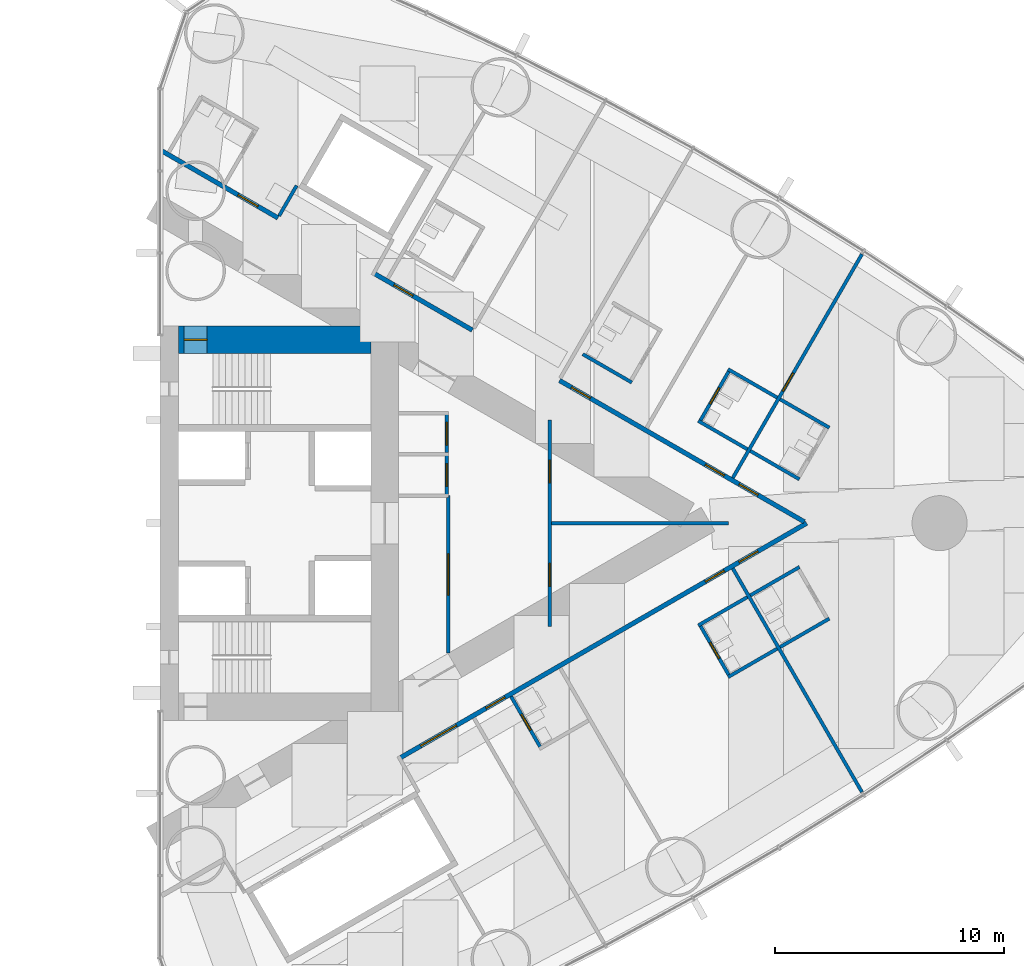
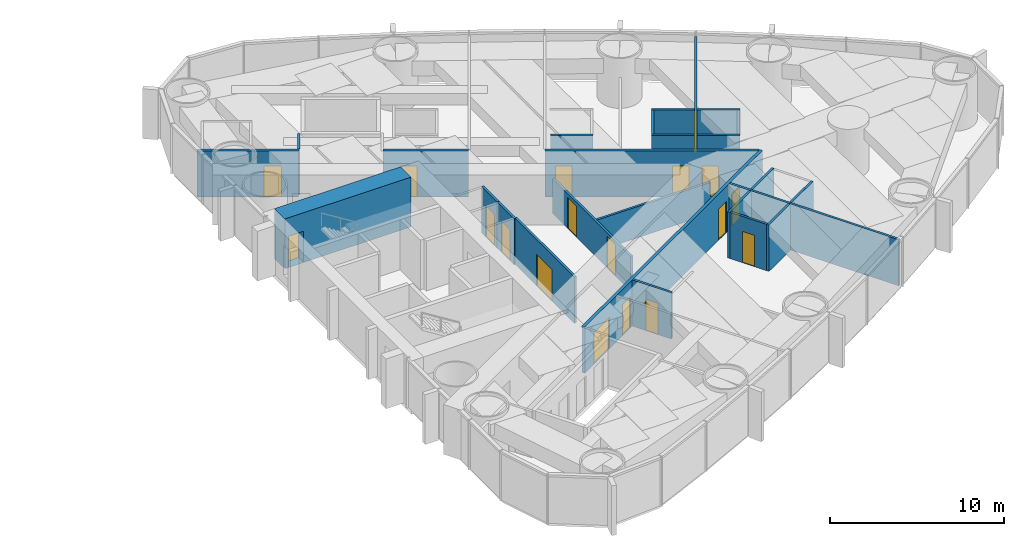
# One storey, part 14 of 18: 25 walls, 19 doors, 19 openings.
"""IFC4 building model written with IfcOpenShell, lengths in metres."""

from ifc_helpers import new_model, si_unit, direction, frame, frame_2d, origin, place, context, subcontext, project, spatial, rectangle, extrude, material, layer, layer_set, type_object, element, fill, save


model = new_model("IFC4")

# Units and contexts
model_context = context("Model", 3, precision=1e-05, world=origin(), true_north=direction((0.0, 1.0)))
body_context = subcontext(model_context, "Body", "Model", "MODEL_VIEW")
ifc_project = project(units=[si_unit("LENGTHUNIT", "METRE"), si_unit("AREAUNIT", "SQUARE_METRE"), si_unit("VOLUMEUNIT", "CUBIC_METRE"), si_unit("PLANEANGLEUNIT", "RADIAN"), si_unit("MASSUNIT", "GRAM", prefix="KILO")], contexts=[model_context])

# Site, building, storey
site_placement = place(None, origin())
site = spatial("IfcSite", under=ifc_project, at=site_placement, CompositionType="ELEMENT")
building_placement = place(site_placement, origin())
building = spatial("IfcBuilding", under=site, at=building_placement, Name="Lancet Gate Hotel", CompositionType="ELEMENT")
storey_placement = place(building_placement, frame((0.0, 0.0, 118.60009765625)))
storey = spatial("IfcBuildingStorey", under=building, at=storey_placement, Name="L31", CompositionType="ELEMENT", Elevation=118.60009765625)

# Wall, opening, door
ifc_material_1 = material(Name="Moisture resistant board partition")
ifc_layer_1 = layer(ifc_material_1, 0.14990234375)
ifc_layer_set_1 = layer_set([ifc_layer_1], Name="Bathroom wall 150")
wall_type_1 = type_object("IfcWallType", Name="Bathroom wall 150", PredefinedType="PARTITIONING", material=ifc_layer_set_1)
wall_1_placement = place(storey_placement, frame((42.810302734375, -7.55859375, 0.0), z_axis=(0.0, 0.0, 1.0), x_axis=(0.499936506574, -0.866062058628, 0.0)))
wall_1 = element("IfcWall", 1, at=wall_1_placement, inside=storey, type_object=wall_type_1, Name="T2 bathroom wall 150 L31", PredefinedType="PARTITIONING", context=body_context, shape_type="SweptSolid", body=[
    extrude(rectangle(XDim=2.599853515625, YDim=0.14990234375, at=frame_2d((1.2998046875, 0.0))), origin(), (0.0, 0.0, 1.0), 3.25),
])
opening_1_placement = place(wall_1_placement, frame((0.89990234375, 0.0, 0.0)))
opening_1 = element("IfcOpeningElement", 2, at=opening_1_placement, cuts=wall_1, Name="Opening 3154-B", PredefinedType="OPENING", context=body_context, shape_type="SweptSolid", body=[
    extrude(rectangle(XDim=0.800048828125, YDim=2.199951171875, at=frame_2d((0.39990234375, 1.10009765625))), frame((0.0, 0.0849609375, 0.0), z_axis=(0.0, -1.0, 0.0), x_axis=(1.0, 0.0, 0.0)), (0.0, 0.0, 1.0), 0.169921875),
])
ifc_material_2 = material(Name="Timber door set", Category="wood")
door_type_1 = type_object("IfcDoorType", Name="Bathroom door 800", OperationType="SINGLE_SWING_RIGHT", PredefinedType="DOOR", material=ifc_material_2)
door_1_placement = place(opening_1_placement, origin())
door_1 = element("IfcDoor", 3, at=door_1_placement, inside=storey, type_object=door_type_1, Name="3154-B", OperationType="SINGLE_SWING_RIGHT", OverallHeight=2.199951171875, OverallWidth=0.800048828125, PredefinedType="DOOR", context=body_context, shape_type="SweptSolid", body=[
    extrude(rectangle(XDim=0.800048828125, YDim=2.199951171875, at=frame_2d((0.39990234375, 1.10009765625))), frame((0.0, 0.02490234375, 0.0), z_axis=(0.0, -1.0, 0.0), x_axis=(1.0, 0.0, 0.0)), (0.0, 0.0, 1.0), 0.050048828125),
])
fill(opening_1, door_1)

# Wall
wall_2_placement = place(storey_placement, frame((52.27294921875, -6.714111328125, 0.0), z_axis=(0.0, 0.0, 1.0), x_axis=(0.866031185235, 0.4999899861, 0.0)))
element("IfcWall", 4, at=wall_2_placement, inside=storey, type_object=wall_type_1, Name="T2 bathroom wall 150 L31", PredefinedType="PARTITIONING", context=body_context, shape_type="SweptSolid", body=[
    extrude(rectangle(XDim=2.47509765625, YDim=0.14990234375, at=frame_2d((1.237548828125, 0.0))), origin(), (0.0, 0.0, 1.0), 3.25),
])

# Wall, opening, door
wall_3_placement = place(storey_placement, frame((51.0380859375, -4.425048828125, 0.0), z_axis=(0.0, 0.0, 1.0), x_axis=(0.49997716683, -0.86603858612, 0.0)))
wall_3 = element("IfcWall", 5, at=wall_3_placement, inside=storey, type_object=wall_type_1, Name="T2 bathroom wall 150 L31", PredefinedType="PARTITIONING", context=body_context, shape_type="SweptSolid", body=[
    extrude(rectangle(XDim=2.599609375, YDim=0.14990234375, at=frame_2d((1.2998046875, 0.0))), origin(), (0.0, 0.0, 1.0), 3.25),
])
opening_2_placement = place(wall_3_placement, frame((0.89990234375, 0.0, 0.0)))
opening_2 = element("IfcOpeningElement", 6, at=opening_2_placement, cuts=wall_3, Name="Opening 3155-B", PredefinedType="OPENING", context=body_context, shape_type="SweptSolid", body=[
    extrude(rectangle(XDim=0.800048828125, YDim=2.199951171875, at=frame_2d((0.39990234375, 1.10009765625))), frame((0.0, 0.0849609375, 0.0), z_axis=(0.0, -1.0, 0.0), x_axis=(1.0, 0.0, 0.0)), (0.0, 0.0, 1.0), 0.169921875),
])
door_2_placement = place(opening_2_placement, origin())
door_2 = element("IfcDoor", 7, at=door_2_placement, inside=storey, type_object=door_type_1, Name="3155-B", OperationType="SINGLE_SWING_RIGHT", OverallHeight=2.199951171875, OverallWidth=0.800048828125, PredefinedType="DOOR", context=body_context, shape_type="SweptSolid", body=[
    extrude(rectangle(XDim=0.800048828125, YDim=2.199951171875, at=frame_2d((0.39990234375, 1.10009765625))), frame((0.0, 0.02490234375, 0.0), z_axis=(0.0, -1.0, 0.0), x_axis=(1.0, 0.0, 0.0)), (0.0, 0.0, 1.0), 0.050048828125),
])
fill(opening_2, door_2)

# Walls
wall_4_placement = place(storey_placement, frame((50.972900390625, -4.46240234375, 0.0), z_axis=(0.0, 0.0, 1.0), x_axis=(0.866031185235, 0.4999899861, 0.0)))
element("IfcWall", 8, at=wall_4_placement, inside=storey, type_object=wall_type_1, Name="T2 bathroom wall 150 L31", PredefinedType="PARTITIONING", context=body_context, shape_type="SweptSolid", body=[
    extrude(rectangle(XDim=2.47509765625, YDim=0.14990234375, at=frame_2d((1.237548828125, 0.0))), origin(), (0.0, 0.0, 1.0), 3.25),
])
for number, where, z_axis, x_axis, name in (
    (9, (54.54638671875, -5.401611328125, 0.0), (0.0, 0.0, 1.0), (0.866006523861, 0.500032699561, 0.0), "T2 bathroom wall 150 L31"),
    (10, (53.246337890625, -3.14990234375, 0.0), (0.0, 0.0, 1.0), (0.866006523861, 0.500032699561, 0.0), "T2 bathroom wall 150 L31"),
    (11, (54.54638671875, 5.401611328125, 0.0), (0.0, 0.0, 1.0), (0.866006523861, -0.500032699561, 0.0), "T2 bathroom wall 150 L31"),
    (12, (53.246337890625, 3.14990234375, 0.0), (0.0, 0.0, 1.0), (0.866006523861, -0.500032699561, 0.0), "T2 bathroom wall 150 L31"),
):
    element("IfcWall", number, at=place(storey_placement, frame(where, z_axis=z_axis, x_axis=x_axis)), inside=storey, type_object=wall_type_1, Name=name, PredefinedType="PARTITIONING", context=body_context, shape_type="SweptSolid", body=[
        extrude(rectangle(XDim=2.474853515625, YDim=0.14990234375, at=frame_2d((1.2373046875, 0.0))), origin(), (0.0, 0.0, 1.0), 3.25),
    ])
wall_5_placement = place(storey_placement, frame((52.27294921875, 6.714111328125, 0.0), z_axis=(0.0, 0.0, 1.0), x_axis=(0.866031185235, -0.4999899861, 0.0)))
element("IfcWall", 13, at=wall_5_placement, inside=storey, type_object=wall_type_1, Name="T2 bathroom wall 150 L31", PredefinedType="PARTITIONING", context=body_context, shape_type="SweptSolid", body=[
    extrude(rectangle(XDim=2.47509765625, YDim=0.14990234375, at=frame_2d((1.237548828125, 0.0))), origin(), (0.0, 0.0, 1.0), 3.25),
])

# Wall, opening, door
wall_6_placement = place(storey_placement, frame((51.0380859375, 4.425048828125, 0.0), z_axis=(0.0, 0.0, 1.0), x_axis=(0.49997716683, 0.86603858612, 0.0)))
wall_6 = element("IfcWall", 14, at=wall_6_placement, inside=storey, type_object=wall_type_1, Name="T2 bathroom wall 150 L31", PredefinedType="PARTITIONING", context=body_context, shape_type="SweptSolid", body=[
    extrude(rectangle(XDim=2.599609375, YDim=0.14990234375, at=frame_2d((1.2998046875, 0.0))), origin(), (0.0, 0.0, 1.0), 3.25),
])
opening_3_placement = place(wall_6_placement, frame((0.89990234375, 0.0, 0.0)))
opening_3 = element("IfcOpeningElement", 15, at=opening_3_placement, cuts=wall_6, Name="Opening 3159-B", PredefinedType="OPENING", context=body_context, shape_type="SweptSolid", body=[
    extrude(rectangle(XDim=0.800048828125, YDim=2.199951171875, at=frame_2d((0.39990234375, 1.10009765625))), frame((0.0, 0.0849609375, 0.0), z_axis=(0.0, -1.0, 0.0), x_axis=(1.0, 0.0, 0.0)), (0.0, 0.0, 1.0), 0.169921875),
])
door_3_placement = place(opening_3_placement, origin())
door_3 = element("IfcDoor", 16, at=door_3_placement, inside=storey, type_object=door_type_1, Name="3159-B", OperationType="SINGLE_SWING_RIGHT", OverallHeight=2.199951171875, OverallWidth=0.800048828125, PredefinedType="DOOR", context=body_context, shape_type="SweptSolid", body=[
    extrude(rectangle(XDim=0.800048828125, YDim=2.199951171875, at=frame_2d((0.39990234375, 1.10009765625))), frame((0.0, 0.02490234375, 0.0), z_axis=(0.0, -1.0, 0.0), x_axis=(1.0, 0.0, 0.0)), (0.0, 0.0, 1.0), 0.050048828125),
])
fill(opening_3, door_3)

# Walls
for number, where, z_axis, x_axis, name in (
    (17, (50.972900390625, 4.46240234375, 0.0), (0.0, 0.0, 1.0), (0.866031185235, -0.4999899861, 0.0), "T2 bathroom wall 150 L31"),
    (18, (45.93505859375, 7.37109375, 0.0), (0.0, 0.0, 1.0), (0.866031185235, -0.4999899861, 0.0), "T2 bathroom wall 150 L31"),
):
    element("IfcWall", number, at=place(storey_placement, frame(where, z_axis=z_axis, x_axis=x_axis)), inside=storey, type_object=wall_type_1, Name=name, PredefinedType="PARTITIONING", context=body_context, shape_type="SweptSolid", body=[
        extrude(rectangle(XDim=2.47509765625, YDim=0.14990234375, at=frame_2d((1.237548828125, 0.0))), origin(), (0.0, 0.0, 1.0), 3.25),
    ])

# Wall, opening, door
ifc_material_3 = material(Name="Concrete C70/85", Category="concrete")
ifc_layer_2 = layer(ifc_material_3, 1.199951171875)
ifc_layer_set_2 = layer_set([ifc_layer_2], Name="Core wall 1200")
wall_type_2 = type_object("IfcWallType", Name="Core wall 1200", PredefinedType="SHEAR", material=ifc_layer_set_2)
wall_7_placement = place(storey_placement, frame((28.300048828125, 8.0, 0.0), z_axis=(0.0, 0.0, 1.0), x_axis=(1.0, 0.0, 0.0)))
wall_7 = element("IfcWall", 19, at=wall_7_placement, inside=storey, type_object=wall_type_2, Name="T2 core wall side-N L31", PredefinedType="SHEAR", context=body_context, shape_type="SweptSolid", body=[
    extrude(rectangle(XDim=8.39990234375, YDim=1.199951171875, at=frame_2d((4.199951171875, 0.0))), origin(), (0.0, 0.0, 1.0), 3.5),
])
opening_4_placement = place(wall_7_placement, frame((0.25, 0.0, 0.0)))
opening_4 = element("IfcOpeningElement", 20, at=opening_4_placement, cuts=wall_7, Name="Opening T2-L31-ST2", PredefinedType="OPENING", context=body_context, shape_type="SweptSolid", body=[
    extrude(rectangle(XDim=1.0, YDim=2.199951171875, at=frame_2d((0.5, 1.10009765625))), frame((0.0, 0.60986328125, 0.0), z_axis=(0.0, -1.0, 0.0), x_axis=(1.0, 0.0, 0.0)), (0.0, 0.0, 1.0), 1.219970703125),
])
ifc_material_4 = material(Name="Timber door set", Category="wood")
door_type_2 = type_object("IfcDoorType", Name="Stair door 1000", OperationType="SINGLE_SWING_RIGHT", PredefinedType="DOOR", material=ifc_material_4)
door_4_placement = place(opening_4_placement, origin())
door_4 = element("IfcDoor", 21, at=door_4_placement, inside=storey, type_object=door_type_2, Name="T2-L31-ST2", OperationType="SINGLE_SWING_RIGHT", OverallHeight=2.199951171875, OverallWidth=1.0, PredefinedType="DOOR", context=body_context, shape_type="SweptSolid", body=[
    extrude(rectangle(XDim=1.0, YDim=2.199951171875, at=frame_2d((0.5, 1.10009765625))), frame((0.0, 0.02490234375, 0.0), z_axis=(0.0, -1.0, 0.0), x_axis=(1.0, 0.0, 0.0)), (0.0, 0.0, 1.0), 0.050048828125),
])
fill(opening_4, door_4)

# Wall, openings, doors
ifc_material_5 = material(Name="Gypsum board partition")
ifc_layer_3 = layer(ifc_material_5, 0.199951171875)
ifc_layer_set_3 = layer_set([ifc_layer_3], Name="Corridor wall 200")
wall_type_3 = type_object("IfcWallType", Name="Corridor wall 200", PredefinedType="PARTITIONING", material=ifc_layer_set_3)
wall_8_placement = place(storey_placement, frame((37.9599609375, -10.243408203125, 0.0), z_axis=(0.0, 0.0, 1.0), x_axis=(0.866026429433, 0.499998223521, 0.0)))
wall_8 = element("IfcWall", 22, at=wall_8_placement, inside=storey, type_object=wall_type_3, Name="T2 corridor wall 200 L31", PredefinedType="PARTITIONING", context=body_context, shape_type="SweptSolid", body=[
    extrude(rectangle(XDim=20.48681640625, YDim=0.199951171875, at=frame_2d((10.243408203125, 0.0))), origin(), (0.0, 0.0, 1.0), 3.25),
])
opening_5_placement = place(wall_8_placement, frame((4.3427734375, 0.0, 0.0)))
opening_5 = element("IfcOpeningElement", 23, at=opening_5_placement, cuts=wall_8, Name="Opening 3154-E", PredefinedType="OPENING", context=body_context, shape_type="SweptSolid", body=[
    extrude(rectangle(XDim=0.949951171875, YDim=2.199951171875, at=frame_2d((0.47509765625, 1.10009765625))), frame((0.0, 0.10986328125, 0.0), z_axis=(0.0, -1.0, 0.0), x_axis=(1.0, 0.0, 0.0)), (0.0, 0.0, 1.0), 0.219970703125),
])
opening_6_placement = place(wall_8_placement, frame((15.385009765625, 0.0, 0.0)))
opening_6 = element("IfcOpeningElement", 24, at=opening_6_placement, cuts=wall_8, Name="Opening 3155-E", PredefinedType="OPENING", context=body_context, shape_type="SweptSolid", body=[
    extrude(rectangle(XDim=0.949951171875, YDim=2.199951171875, at=frame_2d((0.47509765625, 1.10009765625))), frame((0.0, 0.10986328125, 0.0), z_axis=(0.0, -1.0, 0.0), x_axis=(1.0, 0.0, 0.0)), (0.0, 0.0, 1.0), 0.219970703125),
])
opening_7_placement = place(wall_8_placement, frame((17.085205078125, 0.0, 0.0)))
opening_7 = element("IfcOpeningElement", 25, at=opening_7_placement, cuts=wall_8, Name="Opening 3157-E", PredefinedType="OPENING", context=body_context, shape_type="SweptSolid", body=[
    extrude(rectangle(XDim=0.949951171875, YDim=2.199951171875, at=frame_2d((0.47509765625, 1.10009765625))), frame((0.0, 0.10986328125, 0.0), z_axis=(0.0, -1.0, 0.0), x_axis=(1.0, 0.0, 0.0)), (0.0, 0.0, 1.0), 0.219970703125),
])
opening_8_placement = place(wall_8_placement, frame((1.04833984375, 0.0, 0.0)))
opening_8 = element("IfcOpeningElement", 26, at=opening_8_placement, cuts=wall_8, Name="Opening T2-L31-LO2", PredefinedType="OPENING", context=body_context, shape_type="SweptSolid", body=[
    extrude(rectangle(XDim=1.800048828125, YDim=2.199951171875, at=frame_2d((0.89990234375, 1.10009765625))), frame((0.0, 0.10986328125, 0.0), z_axis=(0.0, -1.0, 0.0), x_axis=(1.0, 0.0, 0.0)), (0.0, 0.0, 1.0), 0.219970703125),
])
ifc_material_6 = material(Name="Timber door set", Category="wood")
door_type_3 = type_object("IfcDoorType", Name="Double door 1800", OperationType="DOUBLE_DOOR_SINGLE_SWING", PredefinedType="DOOR", material=ifc_material_6)
door_5_placement = place(opening_8_placement, origin())
door_5 = element("IfcDoor", 27, at=door_5_placement, inside=storey, type_object=door_type_3, Name="T2-L31-LO2", OperationType="DOUBLE_DOOR_SINGLE_SWING", OverallHeight=2.199951171875, OverallWidth=1.800048828125, PredefinedType="DOOR", context=body_context, shape_type="SweptSolid", body=[
    extrude(rectangle(XDim=1.800048828125, YDim=2.199951171875, at=frame_2d((0.89990234375, 1.10009765625))), frame((0.0, 0.02490234375, 0.0), z_axis=(0.0, -1.0, 0.0), x_axis=(1.0, 0.0, 0.0)), (0.0, 0.0, 1.0), 0.050048828125),
])
fill(opening_8, door_5)
ifc_material_7 = material(Name="Timber door set", Category="wood")
door_type_4 = type_object("IfcDoorType", Name="Guest room entry door 950", OperationType="SINGLE_SWING_LEFT", PredefinedType="DOOR", material=ifc_material_7)
door_6_placement = place(opening_5_placement, origin())
door_6 = element("IfcDoor", 28, at=door_6_placement, inside=storey, type_object=door_type_4, Name="3154-E", OperationType="SINGLE_SWING_LEFT", OverallHeight=2.199951171875, OverallWidth=0.949951171875, PredefinedType="DOOR", context=body_context, shape_type="SweptSolid", body=[
    extrude(rectangle(XDim=0.949951171875, YDim=2.199951171875, at=frame_2d((0.47509765625, 1.10009765625))), frame((0.0, 0.02490234375, 0.0), z_axis=(0.0, -1.0, 0.0), x_axis=(1.0, 0.0, 0.0)), (0.0, 0.0, 1.0), 0.050048828125),
])
fill(opening_5, door_6)
door_7_placement = place(opening_6_placement, origin())
door_7 = element("IfcDoor", 29, at=door_7_placement, inside=storey, type_object=door_type_4, Name="3155-E", OperationType="SINGLE_SWING_LEFT", OverallHeight=2.199951171875, OverallWidth=0.949951171875, PredefinedType="DOOR", context=body_context, shape_type="SweptSolid", body=[
    extrude(rectangle(XDim=0.949951171875, YDim=2.199951171875, at=frame_2d((0.47509765625, 1.10009765625))), frame((0.0, 0.02490234375, 0.0), z_axis=(0.0, -1.0, 0.0), x_axis=(1.0, 0.0, 0.0)), (0.0, 0.0, 1.0), 0.050048828125),
])
fill(opening_6, door_7)
door_8_placement = place(opening_7_placement, origin())
door_8 = element("IfcDoor", 30, at=door_8_placement, inside=storey, type_object=door_type_4, Name="3157-E", OperationType="SINGLE_SWING_LEFT", OverallHeight=2.199951171875, OverallWidth=0.949951171875, PredefinedType="DOOR", context=body_context, shape_type="SweptSolid", body=[
    extrude(rectangle(XDim=0.949951171875, YDim=2.199951171875, at=frame_2d((0.47509765625, 1.10009765625))), frame((0.0, 0.02490234375, 0.0), z_axis=(0.0, -1.0, 0.0), x_axis=(1.0, 0.0, 0.0)), (0.0, 0.0, 1.0), 0.050048828125),
])
fill(opening_7, door_8)

# Wall, opening, door
wall_9_placement = place(storey_placement, frame((27.572021484375, 16.240966796875, 0.0), z_axis=(0.0, 0.0, 1.0), x_axis=(0.866032814021, -0.499987164874, 0.0)))
wall_9 = element("IfcWall", 31, at=wall_9_placement, inside=storey, type_object=wall_type_3, Name="T2 corridor wall 200 L31", PredefinedType="PARTITIONING", context=body_context, shape_type="SweptSolid", body=[
    extrude(rectangle(XDim=5.854736328125, YDim=0.199951171875, at=frame_2d((2.92724609375, 0.0))), origin(), (0.0, 0.0, 1.0), 3.25),
])
opening_9_placement = place(wall_9_placement, frame((3.85009765625, 0.0, 0.0)))
opening_9 = element("IfcOpeningElement", 32, at=opening_9_placement, cuts=wall_9, Name="Opening 3163-E", PredefinedType="OPENING", context=body_context, shape_type="SweptSolid", body=[
    extrude(rectangle(XDim=1.0, YDim=2.199951171875, at=frame_2d((0.5, 1.10009765625))), frame((0.0, 0.10986328125, 0.0), z_axis=(0.0, -1.0, 0.0), x_axis=(1.0, 0.0, 0.0)), (0.0, 0.0, 1.0), 0.219970703125),
])
ifc_material_8 = material(Name="Timber door set", Category="wood")
door_type_5 = type_object("IfcDoorType", Name="Accessible guest room door 1000", OperationType="SINGLE_SWING_LEFT", PredefinedType="DOOR", material=ifc_material_8)
door_9_placement = place(opening_9_placement, origin())
door_9 = element("IfcDoor", 33, at=door_9_placement, inside=storey, type_object=door_type_5, Name="3163-E", OperationType="SINGLE_SWING_LEFT", OverallHeight=2.199951171875, OverallWidth=1.0, PredefinedType="DOOR", context=body_context, shape_type="SweptSolid", body=[
    extrude(rectangle(XDim=1.0, YDim=2.199951171875, at=frame_2d((0.5, 1.10009765625))), frame((0.0, 0.02490234375, 0.0), z_axis=(0.0, -1.0, 0.0), x_axis=(1.0, 0.0, 0.0)), (0.0, 0.0, 1.0), 0.050048828125),
])
fill(opening_9, door_9)

wall_10_placement = place(storey_placement, frame((36.833984375, 10.8935546875, 0.0), z_axis=(0.0, 0.0, 1.0), x_axis=(0.866032723471, -0.499987321717, 0.0)))
wall_10 = element("IfcWall", 34, at=wall_10_placement, inside=storey, type_object=wall_type_3, Name="T2 corridor wall 200 L31", PredefinedType="PARTITIONING", context=body_context, shape_type="SweptSolid", body=[
    extrude(rectangle(XDim=4.947021484375, YDim=0.199951171875, at=frame_2d((2.4736328125, 0.0))), origin(), (0.0, 0.0, 1.0), 3.25),
])
opening_10_placement = place(wall_10_placement, frame((1.005615234375, 0.0, 0.0)))
opening_10 = element("IfcOpeningElement", 35, at=opening_10_placement, cuts=wall_10, Name="Opening 3162-E", PredefinedType="OPENING", context=body_context, shape_type="SweptSolid", body=[
    extrude(rectangle(XDim=0.949951171875, YDim=2.199951171875, at=frame_2d((0.47509765625, 1.10009765625))), frame((0.0, 0.10986328125, 0.0), z_axis=(0.0, -1.0, 0.0), x_axis=(1.0, 0.0, 0.0)), (0.0, 0.0, 1.0), 0.219970703125),
])
door_10_placement = place(opening_10_placement, origin())
door_10 = element("IfcDoor", 36, at=door_10_placement, inside=storey, type_object=door_type_4, Name="3162-E", OperationType="SINGLE_SWING_LEFT", OverallHeight=2.199951171875, OverallWidth=0.949951171875, PredefinedType="DOOR", context=body_context, shape_type="SweptSolid", body=[
    extrude(rectangle(XDim=0.949951171875, YDim=2.199951171875, at=frame_2d((0.47509765625, 1.10009765625))), frame((0.0, 0.02490234375, 0.0), z_axis=(0.0, -1.0, 0.0), x_axis=(1.0, 0.0, 0.0)), (0.0, 0.0, 1.0), 0.050048828125),
])
fill(opening_10, door_10)

# Wall, openings, doors
wall_11_placement = place(storey_placement, frame((44.92529296875, 6.22216796875, 0.0), z_axis=(0.0, 0.0, 1.0), x_axis=(0.866025590081, -0.499999677325, 0.0)))
wall_11 = element("IfcWall", 37, at=wall_11_placement, inside=storey, type_object=wall_type_3, Name="T2 corridor wall 200 L31", PredefinedType="PARTITIONING", context=body_context, shape_type="SweptSolid", body=[
    extrude(rectangle(XDim=12.32421875, YDim=0.199951171875, at=frame_2d((6.162109375, 0.0))), origin(), (0.0, 0.0, 1.0), 3.25),
])
opening_11_placement = place(wall_11_placement, frame((9.042236328125, 0.0, 0.0)))
opening_11 = element("IfcOpeningElement", 38, at=opening_11_placement, cuts=wall_11, Name="Opening 3158-E", PredefinedType="OPENING", context=body_context, shape_type="SweptSolid", body=[
    extrude(rectangle(XDim=0.949951171875, YDim=2.199951171875, at=frame_2d((0.47509765625, 1.10009765625))), frame((0.0, 0.10986328125, 0.0), z_axis=(0.0, -1.0, 0.0), x_axis=(1.0, 0.0, 0.0)), (0.0, 0.0, 1.0), 0.219970703125),
])
opening_12_placement = place(wall_11_placement, frame((7.34228515625, 0.0, 0.0)))
opening_12 = element("IfcOpeningElement", 39, at=opening_12_placement, cuts=wall_11, Name="Opening 3159-E", PredefinedType="OPENING", context=body_context, shape_type="SweptSolid", body=[
    extrude(rectangle(XDim=0.949951171875, YDim=2.199951171875, at=frame_2d((0.47509765625, 1.10009765625))), frame((0.0, 0.10986328125, 0.0), z_axis=(0.0, -1.0, 0.0), x_axis=(1.0, 0.0, 0.0)), (0.0, 0.0, 1.0), 0.219970703125),
])
opening_13_placement = place(wall_11_placement, frame((0.60009765625, 0.0, 0.0)))
opening_13 = element("IfcOpeningElement", 40, at=opening_13_placement, cuts=wall_11, Name="Opening 3160-E", PredefinedType="OPENING", context=body_context, shape_type="SweptSolid", body=[
    extrude(rectangle(XDim=0.949951171875, YDim=2.199951171875, at=frame_2d((0.47509765625, 1.10009765625))), frame((0.0, 0.10986328125, 0.0), z_axis=(0.0, -1.0, 0.0), x_axis=(1.0, 0.0, 0.0)), (0.0, 0.0, 1.0), 0.219970703125),
])
door_11_placement = place(opening_11_placement, origin())
door_11 = element("IfcDoor", 41, at=door_11_placement, inside=storey, type_object=door_type_4, Name="3158-E", OperationType="SINGLE_SWING_LEFT", OverallHeight=2.199951171875, OverallWidth=0.949951171875, PredefinedType="DOOR", context=body_context, shape_type="SweptSolid", body=[
    extrude(rectangle(XDim=0.949951171875, YDim=2.199951171875, at=frame_2d((0.47509765625, 1.10009765625))), frame((0.0, 0.02490234375, 0.0), z_axis=(0.0, -1.0, 0.0), x_axis=(1.0, 0.0, 0.0)), (0.0, 0.0, 1.0), 0.050048828125),
])
fill(opening_11, door_11)
door_12_placement = place(opening_12_placement, origin())
door_12 = element("IfcDoor", 42, at=door_12_placement, inside=storey, type_object=door_type_4, Name="3159-E", OperationType="SINGLE_SWING_LEFT", OverallHeight=2.199951171875, OverallWidth=0.949951171875, PredefinedType="DOOR", context=body_context, shape_type="SweptSolid", body=[
    extrude(rectangle(XDim=0.949951171875, YDim=2.199951171875, at=frame_2d((0.47509765625, 1.10009765625))), frame((0.0, 0.02490234375, 0.0), z_axis=(0.0, -1.0, 0.0), x_axis=(1.0, 0.0, 0.0)), (0.0, 0.0, 1.0), 0.050048828125),
])
fill(opening_12, door_12)
door_13_placement = place(opening_13_placement, origin())
door_13 = element("IfcDoor", 43, at=door_13_placement, inside=storey, type_object=door_type_4, Name="3160-E", OperationType="SINGLE_SWING_LEFT", OverallHeight=2.199951171875, OverallWidth=0.949951171875, PredefinedType="DOOR", context=body_context, shape_type="SweptSolid", body=[
    extrude(rectangle(XDim=0.949951171875, YDim=2.199951171875, at=frame_2d((0.47509765625, 1.10009765625))), frame((0.0, 0.02490234375, 0.0), z_axis=(0.0, -1.0, 0.0), x_axis=(1.0, 0.0, 0.0)), (0.0, 0.0, 1.0), 0.050048828125),
])
fill(opening_13, door_13)

# Wall
ifc_material_9 = material(Name="Gypsum board partition")
ifc_layer_4 = layer(ifc_material_9, 0.14990234375)
ifc_layer_set_4 = layer_set([ifc_layer_4], Name="Party wall 150")
wall_type_4 = type_object("IfcWallType", Name="Party wall 150", PredefinedType="PARTITIONING", material=ifc_layer_set_4)
wall_12_placement = place(storey_placement, frame((52.4814453125, -1.97509765625, 0.0), z_axis=(0.0, 0.0, 1.0), x_axis=(0.500003867771, -0.866023170714, 0.0)))
element("IfcWall", 44, at=wall_12_placement, inside=storey, type_object=wall_type_4, Name="T2 party wall 150 L31", PredefinedType="PARTITIONING", context=body_context, shape_type="SweptSolid", body=[
    extrude(rectangle(XDim=11.2646484375, YDim=0.14990234375, at=frame_2d((5.63232421875, 0.0))), origin(), (0.0, 0.0, 1.0), 3.25),
])

# Wall, opening, door
wall_13_placement = place(storey_placement, frame((52.4814453125, 1.97509765625, 0.0), z_axis=(0.0, 0.0, 1.0), x_axis=(0.500003867771, 0.866023170714, 0.0)))
wall_13 = element("IfcWall", 45, at=wall_13_placement, inside=storey, type_object=wall_type_4, Name="T2 party wall 150 L31", PredefinedType="PARTITIONING", context=body_context, shape_type="SweptSolid", body=[
    extrude(rectangle(XDim=11.2646484375, YDim=0.14990234375, at=frame_2d((5.63232421875, 0.0))), origin(), (0.0, 0.0, 1.0), 3.25),
])
opening_14_placement = place(wall_13_placement, frame((4.375, 0.0, 0.0)))
opening_14 = element("IfcOpeningElement", 46, at=opening_14_placement, cuts=wall_13, Name="Opening 3158C", PredefinedType="OPENING", context=body_context, shape_type="SweptSolid", body=[
    extrude(rectangle(XDim=0.89990234375, YDim=2.199951171875, at=frame_2d((0.449951171875, 1.10009765625))), frame((0.0, 0.0849609375, 0.0), z_axis=(0.0, -1.0, 0.0), x_axis=(1.0, 0.0, 0.0)), (0.0, 0.0, 1.0), 0.169921875),
])
ifc_material_10 = material(Name="Timber door set", Category="wood")
door_type_6 = type_object("IfcDoorType", Name="Connecting door 900", OperationType="SINGLE_SWING_LEFT", PredefinedType="DOOR", material=ifc_material_10)
door_14_placement = place(opening_14_placement, origin())
door_14 = element("IfcDoor", 47, at=door_14_placement, inside=storey, type_object=door_type_6, Name="3158C", OperationType="SINGLE_SWING_LEFT", OverallHeight=2.199951171875, OverallWidth=0.89990234375, PredefinedType="DOOR", context=body_context, shape_type="SweptSolid", body=[
    extrude(rectangle(XDim=0.89990234375, YDim=2.199951171875, at=frame_2d((0.449951171875, 1.10009765625))), frame((0.0, 0.02490234375, 0.0), z_axis=(0.0, -1.0, 0.0), x_axis=(1.0, 0.0, 0.0)), (0.0, 0.0, 1.0), 0.050048828125),
])
fill(opening_14, door_14)

# Wall
ifc_material_11 = material(Name="Gypsum board partition")
ifc_layer_5 = layer(ifc_material_11, 0.14990234375)
ifc_layer_set_5 = layer_set([ifc_layer_5], Name="Service room wall 150")
wall_type_5 = type_object("IfcWallType", Name="Service room wall 150", PredefinedType="PARTITIONING", material=ifc_layer_set_5)
wall_14_placement = place(storey_placement, frame((32.6923828125, 13.400390625, 0.0), z_axis=(0.0, 0.0, 1.0), x_axis=(0.499985008713, 0.866034058835, 0.0)))
element("IfcWall", 48, at=wall_14_placement, inside=storey, type_object=wall_type_5, Name="T2 service room wall 150 L31", PredefinedType="PARTITIONING", context=body_context, shape_type="SweptSolid", body=[
    extrude(rectangle(XDim=1.529296875, YDim=0.14990234375, at=frame_2d((0.7646484375, 0.0))), origin(), (0.0, 0.0, 1.0), 3.25),
])

# Wall, opening, door
wall_15_placement = place(storey_placement, frame((40.0, 1.125, 0.0), z_axis=(0.0, 0.0, 1.0), x_axis=(0.0, 1.0, 0.0)))
wall_15 = element("IfcWall", 49, at=wall_15_placement, inside=storey, type_object=wall_type_5, Name="T2 service room wall 150 L31", PredefinedType="PARTITIONING", context=body_context, shape_type="SweptSolid", body=[
    extrude(rectangle(XDim=1.949951171875, YDim=0.14990234375, at=frame_2d((0.97509765625, 0.0))), origin(), (0.0, 0.0, 1.0), 3.25),
])
opening_15_placement = place(wall_15_placement, frame((0.47509765625, 0.0, 0.0)))
opening_15 = element("IfcOpeningElement", 50, at=opening_15_placement, cuts=wall_15, Name="Opening T2-L31-HRN0", PredefinedType="OPENING", context=body_context, shape_type="SweptSolid", body=[
    extrude(rectangle(XDim=1.0, YDim=2.199951171875, at=frame_2d((0.5, 1.10009765625))), frame((0.0, 0.0849609375, 0.0), z_axis=(0.0, -1.0, 0.0), x_axis=(1.0, 0.0, 0.0)), (0.0, 0.0, 1.0), 0.169921875),
])
ifc_material_12 = material(Name="Timber door set", Category="wood")
door_type_7 = type_object("IfcDoorType", Name="Service door 1000", OperationType="SINGLE_SWING_LEFT", PredefinedType="DOOR", material=ifc_material_12)
door_15_placement = place(opening_15_placement, origin())
door_15 = element("IfcDoor", 51, at=door_15_placement, inside=storey, type_object=door_type_7, Name="T2-L31-HRN0", OperationType="SINGLE_SWING_LEFT", OverallHeight=2.199951171875, OverallWidth=1.0, PredefinedType="DOOR", context=body_context, shape_type="SweptSolid", body=[
    extrude(rectangle(XDim=1.0, YDim=2.199951171875, at=frame_2d((0.5, 1.10009765625))), frame((0.0, 0.02490234375, 0.0), z_axis=(0.0, -1.0, 0.0), x_axis=(1.0, 0.0, 0.0)), (0.0, 0.0, 1.0), 0.050048828125),
])
fill(opening_15, door_15)

wall_16_placement = place(storey_placement, frame((40.0, 2.925048828125, 0.0), z_axis=(0.0, 0.0, 1.0), x_axis=(0.0, 1.0, 0.0)))
wall_16 = element("IfcWall", 52, at=wall_16_placement, inside=storey, type_object=wall_type_5, Name="T2 service room wall 150 L31", PredefinedType="PARTITIONING", context=body_context, shape_type="SweptSolid", body=[
    extrude(rectangle(XDim=1.949951171875, YDim=0.14990234375, at=frame_2d((0.97509765625, 0.0))), origin(), (0.0, 0.0, 1.0), 3.25),
])
opening_16_placement = place(wall_16_placement, frame((0.47509765625, 0.0, 0.0)))
opening_16 = element("IfcOpeningElement", 53, at=opening_16_placement, cuts=wall_16, Name="Opening T2-L31-HRN1", PredefinedType="OPENING", context=body_context, shape_type="SweptSolid", body=[
    extrude(rectangle(XDim=1.0, YDim=2.199951171875, at=frame_2d((0.5, 1.10009765625))), frame((0.0, 0.0849609375, 0.0), z_axis=(0.0, -1.0, 0.0), x_axis=(1.0, 0.0, 0.0)), (0.0, 0.0, 1.0), 0.169921875),
])
door_16_placement = place(opening_16_placement, origin())
door_16 = element("IfcDoor", 54, at=door_16_placement, inside=storey, type_object=door_type_7, Name="T2-L31-HRN1", OperationType="SINGLE_SWING_LEFT", OverallHeight=2.199951171875, OverallWidth=1.0, PredefinedType="DOOR", context=body_context, shape_type="SweptSolid", body=[
    extrude(rectangle(XDim=1.0, YDim=2.199951171875, at=frame_2d((0.5, 1.10009765625))), frame((0.0, 0.02490234375, 0.0), z_axis=(0.0, -1.0, 0.0), x_axis=(1.0, 0.0, 0.0)), (0.0, 0.0, 1.0), 0.050048828125),
])
fill(opening_16, door_16)

wall_17_placement = place(storey_placement, frame((40.074951171875, -5.673828125, 0.0), z_axis=(0.0, 0.0, 1.0), x_axis=(0.0, 1.0, 0.0)))
wall_17 = element("IfcWall", 55, at=wall_17_placement, inside=storey, type_object=wall_type_5, Name="T2 service room wall 150 L31", PredefinedType="PARTITIONING", context=body_context, shape_type="SweptSolid", body=[
    extrude(rectangle(XDim=6.873779296875, YDim=0.14990234375, at=frame_2d((3.43701171875, 0.0))), origin(), (0.0, 0.0, 1.0), 3.25),
])
opening_17_placement = place(wall_17_placement, frame((2.536865234375, 0.0, 0.0)))
opening_17 = element("IfcOpeningElement", 56, at=opening_17_placement, cuts=wall_17, Name="Opening T2-L31-LH", PredefinedType="OPENING", context=body_context, shape_type="SweptSolid", body=[
    extrude(rectangle(XDim=1.800048828125, YDim=2.199951171875, at=frame_2d((0.89990234375, 1.10009765625))), frame((0.0, 0.0849609375, 0.0), z_axis=(0.0, -1.0, 0.0), x_axis=(1.0, 0.0, 0.0)), (0.0, 0.0, 1.0), 0.169921875),
])
ifc_material_13 = material(Name="Timber door set", Category="wood")
door_type_8 = type_object("IfcDoorType", Name="Lobby double door 1800", OperationType="DOUBLE_DOOR_SINGLE_SWING", PredefinedType="DOOR", material=ifc_material_13)
door_17_placement = place(opening_17_placement, origin())
door_17 = element("IfcDoor", 57, at=door_17_placement, inside=storey, type_object=door_type_8, Name="T2-L31-LH", OperationType="DOUBLE_DOOR_SINGLE_SWING", OverallHeight=2.199951171875, OverallWidth=1.800048828125, PredefinedType="DOOR", context=body_context, shape_type="SweptSolid", body=[
    extrude(rectangle(XDim=1.800048828125, YDim=2.199951171875, at=frame_2d((0.89990234375, 1.10009765625))), frame((0.0, 0.02490234375, 0.0), z_axis=(0.0, -1.0, 0.0), x_axis=(1.0, 0.0, 0.0)), (0.0, 0.0, 1.0), 0.050048828125),
])
fill(opening_17, door_17)

# Wall, openings, doors
wall_18_placement = place(storey_placement, frame((44.5, -4.504638671875, 0.0), z_axis=(0.0, 0.0, 1.0), x_axis=(0.0, 1.0, 0.0)))
wall_18 = element("IfcWall", 58, at=wall_18_placement, inside=storey, type_object=wall_type_5, Name="T2 service room wall 150 L31", PredefinedType="PARTITIONING", context=body_context, shape_type="SweptSolid", body=[
    extrude(rectangle(XDim=9.00927734375, YDim=0.14990234375, at=frame_2d((4.504638671875, 0.0))), origin(), (0.0, 0.0, 1.0), 2.449951171875),
])
opening_18_placement = place(wall_18_placement, frame((1.752197265625, 0.0, 0.0)))
opening_18 = element("IfcOpeningElement", 59, at=opening_18_placement, cuts=wall_18, Name="Opening T2-L31-SV", PredefinedType="OPENING", context=body_context, shape_type="SweptSolid", body=[
    extrude(rectangle(XDim=1.0, YDim=2.199951171875, at=frame_2d((0.5, 1.10009765625))), frame((0.0, 0.0849609375, 0.0), z_axis=(0.0, -1.0, 0.0), x_axis=(1.0, 0.0, 0.0)), (0.0, 0.0, 1.0), 0.169921875),
])
opening_19_placement = place(wall_18_placement, frame((6.2568359375, 0.0, 0.0)))
opening_19 = element("IfcOpeningElement", 60, at=opening_19_placement, cuts=wall_18, Name="Opening T2-L31-SV2", PredefinedType="OPENING", context=body_context, shape_type="SweptSolid", body=[
    extrude(rectangle(XDim=1.0, YDim=2.199951171875, at=frame_2d((0.5, 1.10009765625))), frame((0.0, 0.0849609375, 0.0), z_axis=(0.0, -1.0, 0.0), x_axis=(1.0, 0.0, 0.0)), (0.0, 0.0, 1.0), 0.169921875),
])
door_18_placement = place(opening_18_placement, origin())
door_18 = element("IfcDoor", 61, at=door_18_placement, inside=storey, type_object=door_type_7, Name="T2-L31-SV", OperationType="SINGLE_SWING_LEFT", OverallHeight=2.199951171875, OverallWidth=1.0, PredefinedType="DOOR", context=body_context, shape_type="SweptSolid", body=[
    extrude(rectangle(XDim=1.0, YDim=2.199951171875, at=frame_2d((0.5, 1.10009765625))), frame((0.0, 0.02490234375, 0.0), z_axis=(0.0, -1.0, 0.0), x_axis=(1.0, 0.0, 0.0)), (0.0, 0.0, 1.0), 0.050048828125),
])
fill(opening_18, door_18)
door_19_placement = place(opening_19_placement, origin())
door_19 = element("IfcDoor", 62, at=door_19_placement, inside=storey, type_object=door_type_7, Name="T2-L31-SV2", OperationType="SINGLE_SWING_LEFT", OverallHeight=2.199951171875, OverallWidth=1.0, PredefinedType="DOOR", context=body_context, shape_type="SweptSolid", body=[
    extrude(rectangle(XDim=1.0, YDim=2.199951171875, at=frame_2d((0.5, 1.10009765625))), frame((0.0, 0.02490234375, 0.0), z_axis=(0.0, -1.0, 0.0), x_axis=(1.0, 0.0, 0.0)), (0.0, 0.0, 1.0), 0.050048828125),
])
fill(opening_19, door_19)

# Wall
wall_19_placement = place(storey_placement, frame((44.574951171875, 0.0, 0.0), z_axis=(0.0, 0.0, 1.0), x_axis=(1.0, 0.0, 0.0)))
element("IfcWall", 63, at=wall_19_placement, inside=storey, type_object=wall_type_5, Name="T2 service room wall 150 L31", PredefinedType="PARTITIONING", context=body_context, shape_type="SweptSolid", body=[
    extrude(rectangle(XDim=7.727294921875, YDim=0.14990234375, at=frame_2d((3.86376953125, 0.0))), origin(), (0.0, 0.0, 1.0), 2.199951171875),
])

save(model, "model.ifc")
